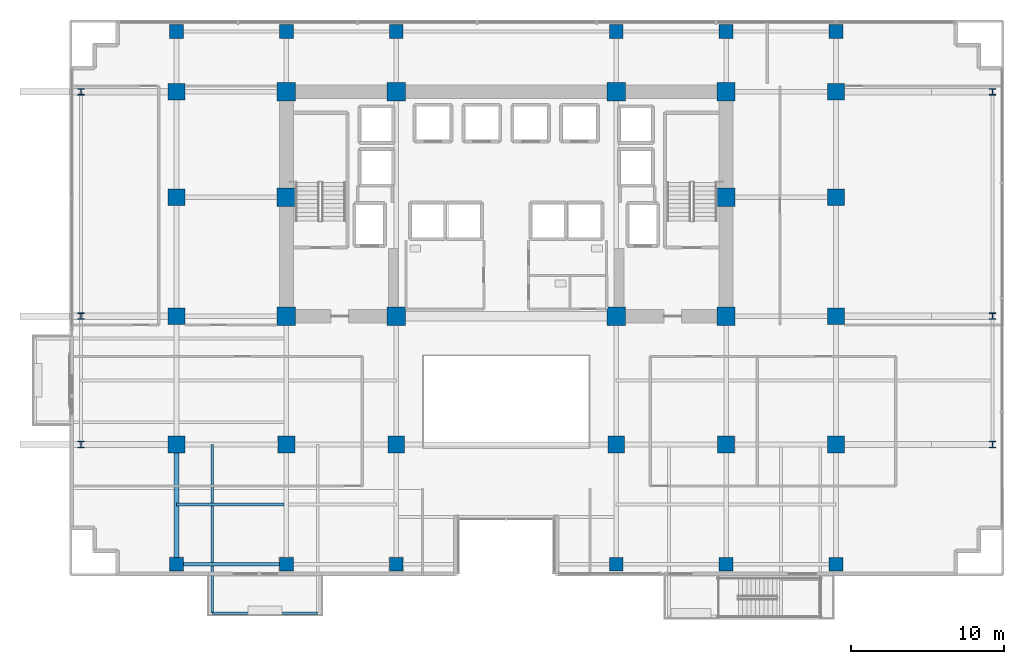
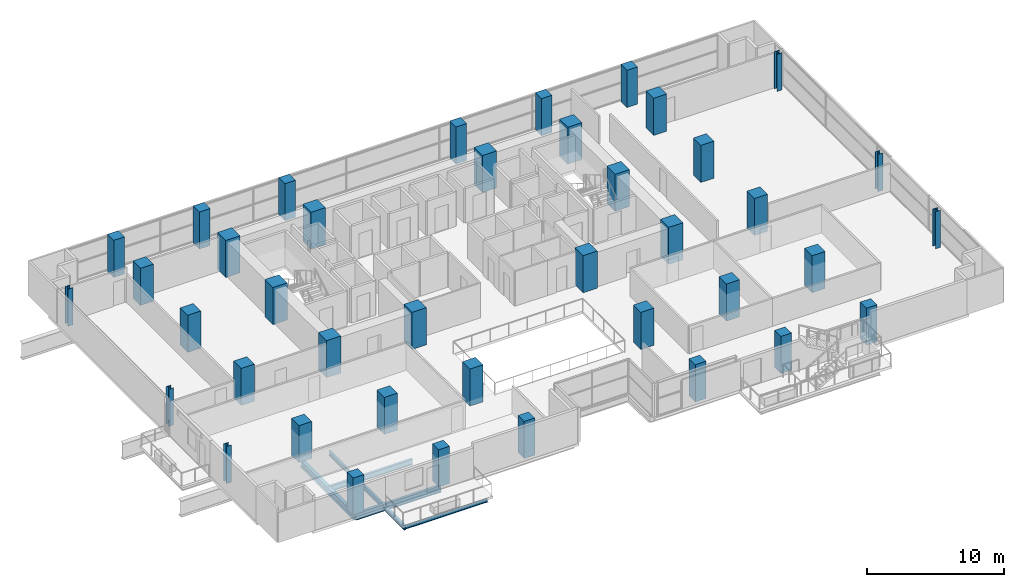
# One storey, part 1 of 31: 40 columns, 5 beams.
"""IFC4 building model written with IfcOpenShell, lengths in metres."""

from ifc_helpers import new_model, si_unit, direction, frame, origin, origin_2d, place, context, subcontext, project, spatial, rectangle, i_section, extrude, material, material_profile, profile_set, type_object, element, save


model = new_model("IFC4")

# Units and contexts
model_context = context("Model", 3, precision=1e-05, world=origin(), true_north=direction((0.0, 1.0)))
body_context = subcontext(model_context, "Body", "Model", "MODEL_VIEW")
ifc_project = project(units=[si_unit("LENGTHUNIT", "METRE"), si_unit("AREAUNIT", "SQUARE_METRE"), si_unit("VOLUMEUNIT", "CUBIC_METRE"), si_unit("PLANEANGLEUNIT", "RADIAN"), si_unit("MASSUNIT", "GRAM", prefix="KILO")], contexts=[model_context])

# Site, building, storey
site_placement = place(None, origin())
site = spatial("IfcSite", under=ifc_project, at=site_placement, CompositionType="ELEMENT")
building_placement = place(site_placement, origin())
building = spatial("IfcBuilding", under=site, at=building_placement, Name="Zarnakvel Exchange Tower", CompositionType="ELEMENT")
storey_placement = place(building_placement, frame((0.0, 0.0, 53.800048828125)))
storey = spatial("IfcBuildingStorey", under=building, at=storey_placement, Name="L14", CompositionType="ELEMENT", Elevation=53.800048828125)

# Columns
ifc_material_1 = material(Name="Concrete C80/95", Category="concrete")
ifc_material_profile_1 = material_profile(ifc_material_1, rectangle(XDim=1.199951171875, YDim=1.199951171875, at=origin_2d()))
ifc_profile_set_1 = profile_set([ifc_material_profile_1], Name="Concrete C80/95")
column_type_1 = type_object("IfcColumnType", Name="CC-01", PredefinedType="COLUMN", material=ifc_profile_set_1)
for number, where, z_axis, x_axis, name in (
    (1, (-14.39990234375, -1.199951171875, 0.0), (0.0, 0.0, 1.0), (1.0, 0.0, 0.0), "L14 Column C-4D (CC-01)"),
    (2, (-7.199951171875, -1.199951171875, 0.0), (0.0, 0.0, 1.0), (1.0, 0.0, 0.0), "L14 Column C-5D (CC-01)"),
    (3, (7.199951171875, -1.199951171875, 0.0), (0.0, 0.0, 1.0), (1.0, 0.0, 0.0), "L14 Column C-8D (CC-01)"),
    (4, (14.39990234375, -1.199951171875, 0.0), (0.0, 0.0, 1.0), (1.0, 0.0, 0.0), "L14 Column C-9D (CC-01)"),
    (5, (-14.39990234375, 6.60009765625, 0.0), (0.0, 0.0, 1.0), (1.0, 0.0, 0.0), "L14 Column C-4E (CC-01)"),
    (6, (14.39990234375, 6.60009765625, 0.0), (0.0, 0.0, 1.0), (1.0, 0.0, 0.0), "L14 Column C-9E (CC-01)"),
    (7, (-14.39990234375, 13.5, 0.0), (0.0, 0.0, 1.0), (1.0, 0.0, 0.0), "L14 Column C-4F (CC-01)"),
    (8, (-7.199951171875, 13.5, 0.0), (0.0, 0.0, 1.0), (1.0, 0.0, 0.0), "L14 Column C-5F (CC-01)"),
    (9, (7.199951171875, 13.5, 0.0), (0.0, 0.0, 1.0), (1.0, 0.0, 0.0), "L14 Column C-8F (CC-01)"),
    (10, (14.39990234375, 13.5, 0.0), (0.0, 0.0, 1.0), (1.0, 0.0, 0.0), "L14 Column C-9F (CC-01)"),
):
    element("IfcColumn", number, at=place(storey_placement, frame(where, z_axis=z_axis, x_axis=x_axis)), inside=storey, type_object=column_type_1, Name=name, PredefinedType="COLUMN", context=body_context, shape_type="SweptSolid", body=[
        extrude(rectangle(XDim=1.199951171875, YDim=1.199951171875, at=origin_2d()), origin(), (0.0, 0.0, 1.0), 3.300048828125),
    ])
ifc_material_2 = material(Name="Steel S355", Category="steel")
ifc_material_profile_2 = material_profile(ifc_material_2, i_section(OverallWidth=0.412109375, OverallDepth=0.425048828125, WebThickness=0.02587890625, FlangeThickness=0.0390625, FilletRadius=0.014892578125, at=origin_2d()))
ifc_profile_set_2 = profile_set([ifc_material_profile_2], Name="Steel S355")
column_type_2 = type_object("IfcColumnType", Name="SC-01", PredefinedType="COLUMN", material=ifc_profile_set_2)
for number, where, z_axis, x_axis, name in (
    (11, (-27.85009765625, -9.60009765625, 0.0), (0.0, 0.0, 1.0), (1.0, 0.0, 0.0), "L14 Column TW-C (SC-01)"),
    (12, (31.85009765625, -9.60009765625, 0.0), (0.0, 0.0, 1.0), (1.0, 0.0, 0.0), "L14 Column TE-C (SC-01)"),
    (13, (-27.85009765625, -1.199951171875, 0.0), (0.0, 0.0, 1.0), (1.0, 0.0, 0.0), "L14 Column TW-D (SC-01)"),
    (14, (31.85009765625, -1.199951171875, 0.0), (0.0, 0.0, 1.0), (1.0, 0.0, 0.0), "L14 Column TE-D (SC-01)"),
    (15, (-27.85009765625, 13.5, 0.0), (0.0, 0.0, 1.0), (1.0, 0.0, 0.0), "L14 Column TW-F (SC-01)"),
    (16, (31.85009765625, 13.5, 0.0), (0.0, 0.0, 1.0), (1.0, 0.0, 0.0), "L14 Column TE-F (SC-01)"),
):
    element("IfcColumn", number, at=place(storey_placement, frame(where, z_axis=z_axis, x_axis=x_axis)), inside=storey, type_object=column_type_2, Name=name, PredefinedType="COLUMN", context=body_context, shape_type="SweptSolid", body=[
        extrude(i_section(OverallWidth=0.412109375, OverallDepth=0.425048828125, WebThickness=0.02587890625, FlangeThickness=0.0390625, FilletRadius=0.014892578125, at=origin_2d()), origin(), (0.0, 0.0, 1.0), 3.300048828125),
    ])
ifc_material_profile_3 = material_profile(ifc_material_1, rectangle(XDim=1.10009765625, YDim=1.10009765625, at=origin_2d()))
ifc_profile_set_3 = profile_set([ifc_material_profile_3], Name="Concrete C80/95")
column_type_3 = type_object("IfcColumnType", Name="TC-01", PredefinedType="COLUMN", material=ifc_profile_set_3)
for number, where, z_axis, x_axis, name in (
    (17, (-14.39990234375, -9.60009765625, 0.0), (0.0, 0.0, 1.0), (1.0, 0.0, 0.0), "L14 Column T-4C (TC-01)"),
    (18, (-7.199951171875, -9.60009765625, 0.0), (0.0, 0.0, 1.0), (1.0, 0.0, 0.0), "L14 Column T-5C (TC-01)"),
    (19, (7.199951171875, -9.60009765625, 0.0), (0.0, 0.0, 1.0), (1.0, 0.0, 0.0), "L14 Column T-8C (TC-01)"),
    (20, (14.39990234375, -9.60009765625, 0.0), (0.0, 0.0, 1.0), (1.0, 0.0, 0.0), "L14 Column T-9C (TC-01)"),
    (21, (-21.60009765625, -9.60009765625, 0.0), (0.0, 0.0, 1.0), (1.0, 0.0, 0.0), "L14 Column T-3C (TC-01)"),
    (22, (-21.60009765625, -1.199951171875, 0.0), (0.0, 0.0, 1.0), (1.0, 0.0, 0.0), "L14 Column T-3D (TC-01)"),
    (23, (-21.60009765625, 6.60009765625, 0.0), (0.0, 0.0, 1.0), (1.0, 0.0, 0.0), "L14 Column T-3E (TC-01)"),
    (24, (-21.60009765625, 13.5, 0.0), (0.0, 0.0, 1.0), (1.0, 0.0, 0.0), "L14 Column T-3F (TC-01)"),
    (25, (21.60009765625, -9.60009765625, 0.0), (0.0, 0.0, 1.0), (1.0, 0.0, 0.0), "L14 Column T-10C (TC-01)"),
    (26, (21.60009765625, -1.199951171875, 0.0), (0.0, 0.0, 1.0), (1.0, 0.0, 0.0), "L14 Column T-10D (TC-01)"),
    (27, (21.60009765625, 6.60009765625, 0.0), (0.0, 0.0, 1.0), (1.0, 0.0, 0.0), "L14 Column T-10E (TC-01)"),
    (28, (21.60009765625, 13.5, 0.0), (0.0, 0.0, 1.0), (1.0, 0.0, 0.0), "L14 Column T-10F (TC-01)"),
):
    element("IfcColumn", number, at=place(storey_placement, frame(where, z_axis=z_axis, x_axis=x_axis)), inside=storey, type_object=column_type_3, Name=name, PredefinedType="COLUMN", context=body_context, shape_type="SweptSolid", body=[
        extrude(rectangle(XDim=1.10009765625, YDim=1.10009765625, at=origin_2d()), origin(), (0.0, 0.0, 1.0), 3.300048828125),
    ])
ifc_material_3 = material(Name="Concrete C60/75", Category="concrete")
ifc_material_profile_4 = material_profile(ifc_material_3, rectangle(XDim=0.89990234375, YDim=0.89990234375, at=origin_2d()))
ifc_profile_set_4 = profile_set([ifc_material_profile_4], Name="Concrete C60/75")
column_type_4 = type_object("IfcColumnType", Name="TC-02", PredefinedType="COLUMN", material=ifc_profile_set_4)
for number, where, z_axis, x_axis, name in (
    (29, (-14.39990234375, -17.449951171875, 0.0), (0.0, 0.0, 1.0), (1.0, 0.0, 0.0), "L14 Column TS-4 (TC-02)"),
    (30, (-14.39990234375, 17.449951171875, 0.0), (0.0, 0.0, 1.0), (1.0, 0.0, 0.0), "L14 Column TN-4 (TC-02)"),
    (31, (-7.199951171875, -17.449951171875, 0.0), (0.0, 0.0, 1.0), (1.0, 0.0, 0.0), "L14 Column TS-5 (TC-02)"),
    (32, (-7.199951171875, 17.449951171875, 0.0), (0.0, 0.0, 1.0), (1.0, 0.0, 0.0), "L14 Column TN-5 (TC-02)"),
    (33, (7.199951171875, -17.449951171875, 0.0), (0.0, 0.0, 1.0), (1.0, 0.0, 0.0), "L14 Column TS-8 (TC-02)"),
    (34, (7.199951171875, 17.449951171875, 0.0), (0.0, 0.0, 1.0), (1.0, 0.0, 0.0), "L14 Column TN-8 (TC-02)"),
    (35, (14.39990234375, -17.449951171875, 0.0), (0.0, 0.0, 1.0), (1.0, 0.0, 0.0), "L14 Column TS-9 (TC-02)"),
    (36, (14.39990234375, 17.449951171875, 0.0), (0.0, 0.0, 1.0), (1.0, 0.0, 0.0), "L14 Column TN-9 (TC-02)"),
    (37, (-21.60009765625, -17.449951171875, 0.0), (0.0, 0.0, 1.0), (1.0, 0.0, 0.0), "L14 Column TS-3 (TC-02)"),
    (38, (-21.60009765625, 17.449951171875, 0.0), (0.0, 0.0, 1.0), (1.0, 0.0, 0.0), "L14 Column TN-3 (TC-02)"),
    (39, (21.60009765625, -17.449951171875, 0.0), (0.0, 0.0, 1.0), (1.0, 0.0, 0.0), "L14 Column TS-10 (TC-02)"),
    (40, (21.60009765625, 17.449951171875, 0.0), (0.0, 0.0, 1.0), (1.0, 0.0, 0.0), "L14 Column TN-10 (TC-02)"),
):
    element("IfcColumn", number, at=place(storey_placement, frame(where, z_axis=z_axis, x_axis=x_axis)), inside=storey, type_object=column_type_4, Name=name, PredefinedType="COLUMN", context=body_context, shape_type="SweptSolid", body=[
        extrude(rectangle(XDim=0.89990234375, YDim=0.89990234375, at=origin_2d()), origin(), (0.0, 0.0, 1.0), 3.300048828125),
    ])

# Beams
ifc_material_profile_5 = material_profile(ifc_material_2, i_section(OverallWidth=0.199951171875, OverallDepth=0.5, WebThickness=0.01025390625, FlangeThickness=0.01611328125, FilletRadius=0.02099609375, at=origin_2d()))
ifc_profile_set_5 = profile_set([ifc_material_profile_5], Name="Steel S355")
beam_type_1 = type_object("IfcBeamType", Name="B-04", PredefinedType="JOIST", material=ifc_profile_set_5)
beam_1_placement = place(storey_placement, frame((-21.60009765625, -13.52490234375, -0.47509765625), z_axis=(1.0, 0.0, 0.0), x_axis=(0.0, 1.0, 0.0)))
element("IfcBeam", 41, at=beam_1_placement, inside=storey, type_object=beam_type_1, Name="L14 Composite Floor Secondary Joist", PredefinedType="JOIST", context=body_context, shape_type="SweptSolid", body=[
    extrude(i_section(OverallWidth=0.199951171875, OverallDepth=0.5, WebThickness=0.01025390625, FlangeThickness=0.01611328125, FilletRadius=0.02099609375, at=origin_2d()), origin(), (0.0, 0.0, 1.0), 7.050048828125),
])
ifc_material_profile_6 = material_profile(ifc_material_2, i_section(OverallWidth=0.179931640625, OverallDepth=0.39990234375, WebThickness=0.008544921875, FlangeThickness=0.013427734375, FilletRadius=0.02099609375, at=origin_2d()))
ifc_profile_set_6 = profile_set([ifc_material_profile_6], Name="Steel S355")
beam_type_2 = type_object("IfcBeamType", Name="B-06", PredefinedType="JOIST", material=ifc_profile_set_6)
beam_2_placement = place(storey_placement, frame((-19.25, -9.60009765625, -0.425048828125), z_axis=(0.0, -1.0, 0.0), x_axis=(1.0, 0.0, 0.0)))
element("IfcBeam", 42, at=beam_2_placement, inside=storey, type_object=beam_type_2, Name="L14 Continuous Back-Spanned Balcony Beam W", PredefinedType="JOIST", context=body_context, shape_type="SweptSolid", body=[
    extrude(i_section(OverallWidth=0.179931640625, OverallDepth=0.39990234375, WebThickness=0.008544921875, FlangeThickness=0.013427734375, FilletRadius=0.02099609375, at=origin_2d()), origin(), (0.0, 0.0, 1.0), 11.0498046875),
])
ifc_material_profile_7 = material_profile(ifc_material_2, i_section(OverallWidth=0.14990234375, OverallDepth=0.300048828125, WebThickness=0.007080078125, FlangeThickness=0.0107421875, FilletRadius=0.014892578125, at=origin_2d()))
ifc_profile_set_7 = profile_set([ifc_material_profile_7], Name="Steel S355")
beam_type_3 = type_object("IfcBeamType", Name="B-08", PredefinedType="JOIST", material=ifc_profile_set_7)
beam_3_placement = place(storey_placement, frame((-19.25, -20.64990234375, -0.375), z_axis=(1.0, 0.0, 0.0), x_axis=(0.0, 1.0, 0.0)))
element("IfcBeam", 43, at=beam_3_placement, inside=storey, type_object=beam_type_3, Name="L14 Balcony Edge Beam", PredefinedType="JOIST", context=body_context, shape_type="SweptSolid", body=[
    extrude(i_section(OverallWidth=0.14990234375, OverallDepth=0.300048828125, WebThickness=0.007080078125, FlangeThickness=0.0107421875, FilletRadius=0.014892578125, at=origin_2d()), origin(), (0.0, 0.0, 1.0), 6.89990234375),
])
ifc_material_profile_8 = material_profile(ifc_material_2, i_section(OverallWidth=0.300048828125, OverallDepth=0.60009765625, WebThickness=0.015380859375, FlangeThickness=0.030029296875, FilletRadius=0.027099609375, at=origin_2d()))
ifc_profile_set_8 = profile_set([ifc_material_profile_8], Name="Steel S355")
beam_type_4 = type_object("IfcBeamType", Name="G-04", PredefinedType="BEAM", material=ifc_profile_set_8)
beam_4_placement = place(storey_placement, frame((-21.60009765625, -17.449951171875, -0.525146484375), z_axis=(0.0, 1.0, 0.0), x_axis=(-1.0, 0.0, 0.0)))
element("IfcBeam", 44, at=beam_4_placement, inside=storey, type_object=beam_type_4, Name="L14 Tower N-S Frame Beam", PredefinedType="BEAM", context=body_context, shape_type="SweptSolid", body=[
    extrude(i_section(OverallWidth=0.300048828125, OverallDepth=0.60009765625, WebThickness=0.015380859375, FlangeThickness=0.030029296875, FilletRadius=0.027099609375, at=origin_2d()), origin(), (0.0, 0.0, 1.0), 7.849853515625),
])
ifc_material_profile_9 = material_profile(ifc_material_2, i_section(OverallWidth=0.219970703125, OverallDepth=0.60009765625, WebThickness=0.011962890625, FlangeThickness=0.01904296875, FilletRadius=0.02392578125, at=origin_2d()))
ifc_profile_set_9 = profile_set([ifc_material_profile_9], Name="Steel S355")
beam_type_5 = type_object("IfcBeamType", Name="SP-01", PredefinedType="SPANDREL", material=ifc_profile_set_9)
beam_5_placement = place(storey_placement, frame((-21.60009765625, -17.449951171875, -0.525146484375), z_axis=(1.0, 0.0, 0.0), x_axis=(0.0, 1.0, 0.0)))
element("IfcBeam", 45, at=beam_5_placement, inside=storey, type_object=beam_type_5, Name="L14 Tower E-W Frame Beam", PredefinedType="SPANDREL", context=body_context, shape_type="SweptSolid", body=[
    extrude(i_section(OverallWidth=0.219970703125, OverallDepth=0.60009765625, WebThickness=0.011962890625, FlangeThickness=0.01904296875, FilletRadius=0.02392578125, at=origin_2d()), origin(), (0.0, 0.0, 1.0), 7.2001953125),
])

save(model, "model.ifc")
